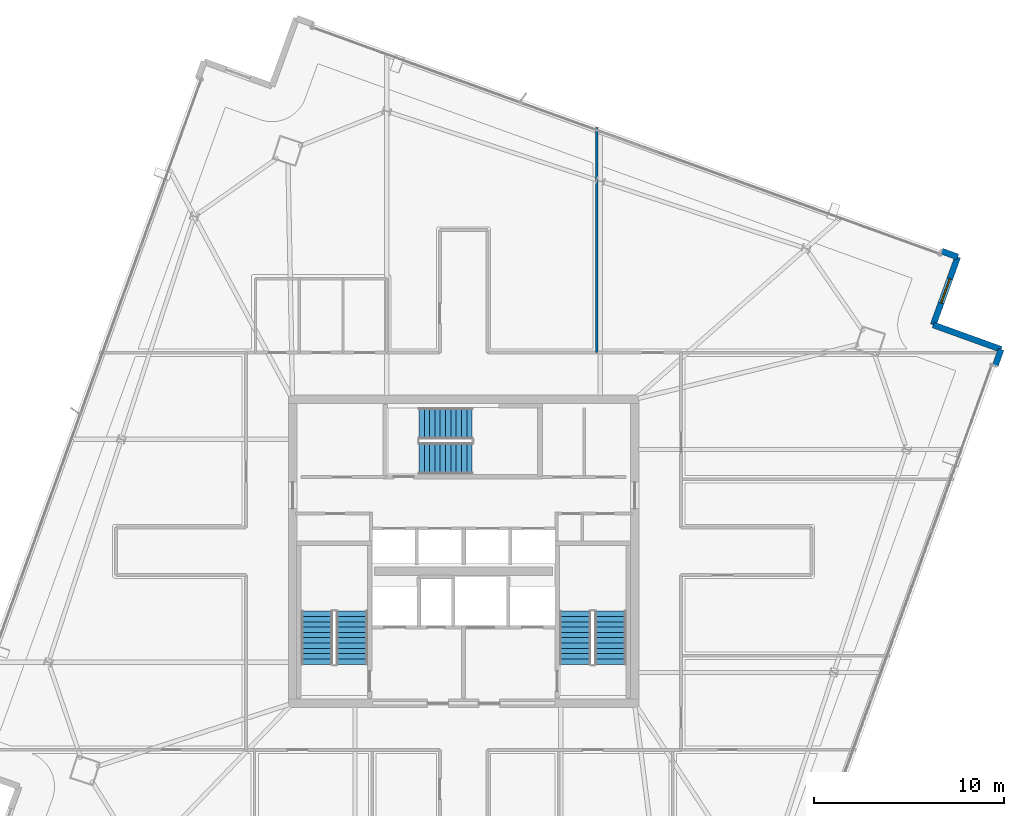
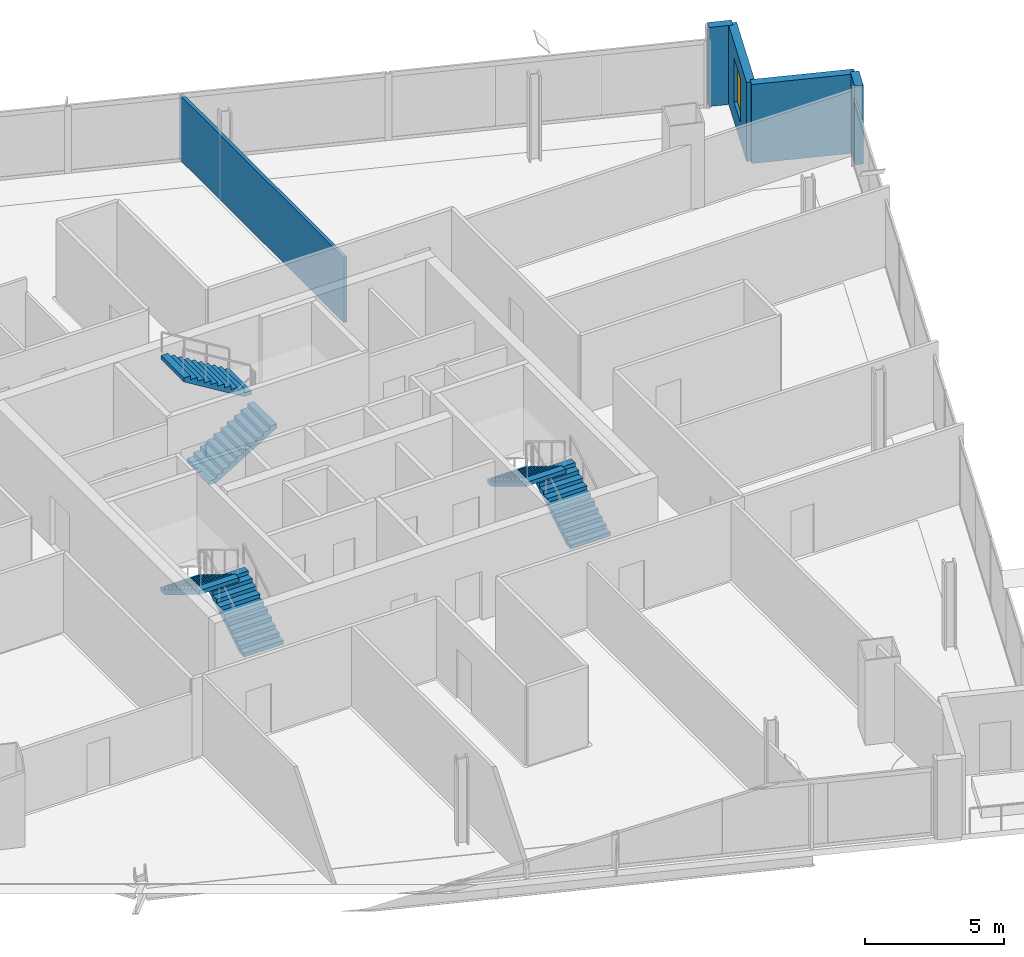
# One storey, part 22 of 27: 6 stair flights, 5 walls, 1 window, 1 opening, 3 elements without a shape of their own.
"""IFC4 building model written with IfcOpenShell, lengths in metres."""

from ifc_helpers import new_model, si_unit, direction, frame, frame_2d, origin, place, context, subcontext, project, spatial, polyline, rectangle, outline, extrude, material, layer, layer_set, type_object, element, fill, aggregate, save


model = new_model("IFC4")

# Units and contexts
model_context = context("Model", 3, precision=1e-05, world=origin(), true_north=direction((0.0, 1.0)))
body_context = subcontext(model_context, "Body", "Model", "MODEL_VIEW")
ifc_project = project(units=[si_unit("LENGTHUNIT", "METRE"), si_unit("AREAUNIT", "SQUARE_METRE"), si_unit("VOLUMEUNIT", "CUBIC_METRE"), si_unit("PLANEANGLEUNIT", "RADIAN"), si_unit("MASSUNIT", "GRAM", prefix="KILO")], contexts=[model_context])

# Site, building, storey
site_placement = place(None, origin())
site = spatial("IfcSite", under=ifc_project, at=site_placement, CompositionType="ELEMENT")
building_placement = place(site_placement, origin())
building = spatial("IfcBuilding", under=site, at=building_placement, Name="Haldenkirk Collegiate Tower", CompositionType="ELEMENT")
storey_placement = place(building_placement, frame((0.0, 0.0, 263.699951171875)))
storey = spatial("IfcBuildingStorey", under=building, at=storey_placement, Name="L66", CompositionType="ELEMENT", Elevation=263.699951171875)

# Walls
ifc_material_1 = material(Name="Precast concrete f'c 40 MPa", Category="concrete")
ifc_layer_1 = layer(ifc_material_1, 0.320068359375)
ifc_layer_set_1 = layer_set([ifc_layer_1], Name="Precast concrete f'c 40 MPa")
wall_type_1 = type_object("IfcWallType", Name="WL-EXT-TWR-320", PredefinedType="STANDARD", material=ifc_layer_set_1)
wall_1_placement = place(storey_placement, frame((64.288818359375, 36.62548828125, 0.0), z_axis=(0.0, 0.0, 1.0), x_axis=(-0.339651130203, -0.940551492345, 0.0)))
element("IfcWall", 1, at=wall_1_placement, inside=storey, type_object=wall_type_1, Name="L66 precast corner pier SL", PredefinedType="STANDARD", context=body_context, shape_type="SweptSolid", body=[
    extrude(rectangle(XDim=0.89990234375, YDim=0.320068359375, at=frame_2d((0.449951171875, 0.0))), origin(), (0.0, 0.0, 1.0), 3.47998046875),
])
wall_2_placement = place(storey_placement, frame((60.714599609375, 37.916015625, 0.0), z_axis=(0.0, 0.0, 1.0), x_axis=(0.940567581442, -0.339606573463, 0.0)))
element("IfcWall", 2, at=wall_2_placement, inside=storey, type_object=wall_type_1, Name="L66 bronze precast notch wall 02", PredefinedType="STANDARD", context=body_context, shape_type="SweptSolid", body=[
    extrude(rectangle(XDim=3.800048828125, YDim=0.320068359375, at=frame_2d((1.89990234375, 0.0))), origin(), (0.0, 0.0, 1.0), 3.47998046875),
])

# Wall, opening, window
wall_3_placement = place(storey_placement, frame((62.0048828125, 41.490234375, 0.0), z_axis=(0.0, 0.0, 1.0), x_axis=(-0.339549734892, -0.940588101953, 0.0)))
wall_3 = element("IfcWall", 3, at=wall_3_placement, inside=storey, type_object=wall_type_1, Name="L66 bronze precast notch wall 03", PredefinedType="STANDARD", context=body_context, shape_type="SweptSolid", body=[
    extrude(rectangle(XDim=3.800048828125, YDim=0.320068359375, at=frame_2d((1.89990234375, 0.0))), origin(), (0.0, 0.0, 1.0), 3.47998046875),
])
opening_placement = place(wall_3_placement, frame((1.22509765625, 0.0, 0.85009765625)))
opening = element("IfcOpeningElement", 4, at=opening_placement, cuts=wall_3, Name="Opening W-07", PredefinedType="OPENING", context=body_context, shape_type="SweptSolid", body=[
    extrude(rectangle(XDim=1.35009765625, YDim=1.949951171875, at=frame_2d((0.675048828125, 0.97509765625))), frame((0.0, 0.169921875, 0.0), z_axis=(0.0, -1.0, 0.0), x_axis=(1.0, 0.0, 0.0)), (0.0, 0.0, 1.0), 0.340087890625),
])
ifc_material_2 = material(Name="Low-E argon triple insulating glass", Category="glass")
ifc_layer_2 = layer(ifc_material_2, 0.090087890625)
ifc_layer_set_2 = layer_set([ifc_layer_2], Name="Low-E argon triple insulating glass")
window_type = type_object("IfcWindowType", Name="WN-Z5-1350X1950", PartitioningType="SINGLE_PANEL", PredefinedType="WINDOW", material=ifc_layer_set_2)
window_placement = place(opening_placement, origin())
window = element("IfcWindow", 5, at=window_placement, inside=storey, type_object=window_type, Name="L66 precast-frame academic window 2", OverallHeight=1.949951171875, OverallWidth=1.35009765625, PartitioningType="SINGLE_PANEL", PredefinedType="WINDOW", context=body_context, shape_type="SweptSolid", body=[
    extrude(rectangle(XDim=1.35009765625, YDim=1.949951171875, at=frame_2d((0.675048828125, 0.97509765625))), frame((0.0, 0.030029296875, 0.0), z_axis=(0.0, -1.0, 0.0), x_axis=(1.0, 0.0, 0.0)), (0.0, 0.0, 1.0), 0.06005859375),
])
fill(opening, window)

# Walls
wall_4_placement = place(storey_placement, frame((61.158447265625, 41.7958984375, 0.0), z_axis=(0.0, 0.0, 1.0), x_axis=(0.940551492345, -0.339651130203, 0.0)))
element("IfcWall", 6, at=wall_4_placement, inside=storey, type_object=wall_type_1, Name="L66 precast corner pier ER", PredefinedType="STANDARD", context=body_context, shape_type="SweptSolid", body=[
    extrude(rectangle(XDim=0.89990234375, YDim=0.320068359375, at=frame_2d((0.449951171875, 0.0))), origin(), (0.0, 0.0, 1.0), 3.47998046875),
])
ifc_material_3 = material(Name="Acoustic fire-rated gypsum partition", Category="concrete")
ifc_layer_3 = layer(ifc_material_3, 0.139892578125)
ifc_layer_set_3 = layer_set([ifc_layer_3], Name="Acoustic fire-rated gypsum partition")
wall_type_2 = type_object("IfcWallType", Name="WL-INT-DIV-140", PredefinedType="PARTITIONING", material=ifc_layer_set_3)
wall_5_placement = place(storey_placement, frame((43.0, 36.449951171875, 0.0), z_axis=(0.0, 0.0, 1.0), x_axis=(0.0, 1.0, 0.0)))
element("IfcWall", 7, at=wall_5_placement, inside=storey, type_object=wall_type_2, Name="L66 interior partition IW-L66-RN1", PredefinedType="PARTITIONING", context=body_context, shape_type="SweptSolid", body=[
    extrude(rectangle(XDim=11.858642578125, YDim=0.139892578125, at=frame_2d((5.92919921875, 0.0))), origin(), (0.0, 0.0, 1.0), 2.858154296875),
])

# Stair, stair flights
ifc_material_4 = material(Name="Concrete f'c 40 MPa", Category="concrete")
stair_type = type_object("IfcStairType", Name="STR-DOGLEG-1650", PredefinedType="HALF_TURN_STAIR", material=ifc_material_4)
stair_1_placement = place(storey_placement, origin())
stair_1 = element("IfcStair", 8, at=stair_1_placement, inside=storey, type_object=stair_type, Name="L66 Core Exit Stair ST-1", PredefinedType="HALF_TURN_STAIR")
stair_flight_type = type_object("IfcStairFlightType", Name="STF-FLIGHT-1650", PredefinedType="STRAIGHT", material=ifc_material_4)
stair_flight_1_placement = place(storey_placement, frame((30.125, 20.050048828125, 0.0), z_axis=(0.0, 0.0, 1.0), x_axis=(0.0, 1.0, 0.0)))
stair_flight_1 = element("IfcStairFlight", 9, at=stair_flight_1_placement, type_object=stair_flight_type, Name="ST-1 flight 1", NumberOfRisers=11, NumberOfTreads=10, PredefinedType="STRAIGHT", RiserHeight=0.170454545, TreadLength=0.28, context=body_context, shape_type="SweptSolid", body=[
    extrude(outline(polyline([(0.0, 0.0), (0.0, 0.17041015625), (0.280029296875, 0.17041015625), (0.280029296875, 0.3408203125), (0.56005859375, 0.3408203125), (0.56005859375, 0.511474609375), (0.840087890625, 0.511474609375), (0.840087890625, 0.681884765625), (1.1201171875, 0.681884765625), (1.1201171875, 0.852294921875), (1.39990234375, 0.852294921875), (1.39990234375, 1.022705078125), (1.679931640625, 1.022705078125), (1.679931640625, 1.193115234375), (1.9599609375, 1.193115234375), (1.9599609375, 1.363525390625), (2.239990234375, 1.363525390625), (2.239990234375, 1.5341796875), (2.52001953125, 1.5341796875), (2.52001953125, 1.70458984375), (2.800048828125, 1.70458984375), (2.800048828125, 1.875), (2.800048828125, 1.529052734375), (0.288330078125, 0.0), (0.0, 0.0)])), frame((0.0, 0.824951171875, 0.0), z_axis=(0.0, -1.0, 0.0), x_axis=(1.0, 0.0, 0.0)), (0.0, 0.0, 1.0), 1.64990234375),
])
stair_flight_2_placement = place(storey_placement, frame((28.27490234375, 22.85009765625, 1.875), z_axis=(0.0, 0.0, 1.0), x_axis=(0.0, -1.0, 0.0)))
stair_flight_2 = element("IfcStairFlight", 10, at=stair_flight_2_placement, type_object=stair_flight_type, Name="ST-1 flight 2", NumberOfRisers=11, NumberOfTreads=10, PredefinedType="STRAIGHT", RiserHeight=0.170454545, TreadLength=0.28, context=body_context, shape_type="SweptSolid", body=[
    extrude(outline(polyline([(0.0, 0.0), (0.0, 0.17041015625), (0.280029296875, 0.17041015625), (0.280029296875, 0.3408203125), (0.56005859375, 0.3408203125), (0.56005859375, 0.511474609375), (0.840087890625, 0.511474609375), (0.840087890625, 0.681884765625), (1.1201171875, 0.681884765625), (1.1201171875, 0.852294921875), (1.39990234375, 0.852294921875), (1.39990234375, 1.022705078125), (1.679931640625, 1.022705078125), (1.679931640625, 1.193115234375), (1.9599609375, 1.193115234375), (1.9599609375, 1.363525390625), (2.239990234375, 1.363525390625), (2.239990234375, 1.5341796875), (2.52001953125, 1.5341796875), (2.52001953125, 1.70458984375), (2.800048828125, 1.70458984375), (2.800048828125, 1.875), (2.800048828125, 1.529052734375), (0.288330078125, 0.0), (0.0, 0.0)])), frame((0.0, 0.824951171875, 0.0), z_axis=(0.0, -1.0, 0.0), x_axis=(1.0, 0.0, 0.0)), (0.0, 0.0, 1.0), 1.64990234375),
])
aggregate(stair_1, [stair_flight_1, stair_flight_2])

stair_2_placement = place(storey_placement, origin())
stair_2 = element("IfcStair", 11, at=stair_2_placement, inside=storey, type_object=stair_type, Name="L66 Core Exit Stair ST-2", PredefinedType="HALF_TURN_STAIR")
stair_flight_3_placement = place(storey_placement, frame((43.72509765625, 20.050048828125, 0.0), z_axis=(0.0, 0.0, 1.0), x_axis=(0.0, 1.0, 0.0)))
stair_flight_3 = element("IfcStairFlight", 12, at=stair_flight_3_placement, type_object=stair_flight_type, Name="ST-2 flight 1", NumberOfRisers=11, NumberOfTreads=10, PredefinedType="STRAIGHT", RiserHeight=0.170454545, TreadLength=0.28, context=body_context, shape_type="SweptSolid", body=[
    extrude(outline(polyline([(0.0, 0.0), (0.0, 0.17041015625), (0.280029296875, 0.17041015625), (0.280029296875, 0.3408203125), (0.56005859375, 0.3408203125), (0.56005859375, 0.511474609375), (0.840087890625, 0.511474609375), (0.840087890625, 0.681884765625), (1.1201171875, 0.681884765625), (1.1201171875, 0.852294921875), (1.39990234375, 0.852294921875), (1.39990234375, 1.022705078125), (1.679931640625, 1.022705078125), (1.679931640625, 1.193115234375), (1.9599609375, 1.193115234375), (1.9599609375, 1.363525390625), (2.239990234375, 1.363525390625), (2.239990234375, 1.5341796875), (2.52001953125, 1.5341796875), (2.52001953125, 1.70458984375), (2.800048828125, 1.70458984375), (2.800048828125, 1.875), (2.800048828125, 1.529052734375), (0.288330078125, 0.0), (0.0, 0.0)])), frame((0.0, 0.824951171875, 0.0), z_axis=(0.0, -1.0, 0.0), x_axis=(1.0, 0.0, 0.0)), (0.0, 0.0, 1.0), 1.64990234375),
])
stair_flight_4_placement = place(storey_placement, frame((41.875, 22.85009765625, 1.875), z_axis=(0.0, 0.0, 1.0), x_axis=(0.0, -1.0, 0.0)))
stair_flight_4 = element("IfcStairFlight", 13, at=stair_flight_4_placement, type_object=stair_flight_type, Name="ST-2 flight 2", NumberOfRisers=11, NumberOfTreads=10, PredefinedType="STRAIGHT", RiserHeight=0.170454545, TreadLength=0.28, context=body_context, shape_type="SweptSolid", body=[
    extrude(outline(polyline([(0.0, 0.0), (0.0, 0.17041015625), (0.280029296875, 0.17041015625), (0.280029296875, 0.3408203125), (0.56005859375, 0.3408203125), (0.56005859375, 0.511474609375), (0.840087890625, 0.511474609375), (0.840087890625, 0.681884765625), (1.1201171875, 0.681884765625), (1.1201171875, 0.852294921875), (1.39990234375, 0.852294921875), (1.39990234375, 1.022705078125), (1.679931640625, 1.022705078125), (1.679931640625, 1.193115234375), (1.9599609375, 1.193115234375), (1.9599609375, 1.363525390625), (2.239990234375, 1.363525390625), (2.239990234375, 1.5341796875), (2.52001953125, 1.5341796875), (2.52001953125, 1.70458984375), (2.800048828125, 1.70458984375), (2.800048828125, 1.875), (2.800048828125, 1.529052734375), (0.288330078125, 0.0), (0.0, 0.0)])), frame((0.0, 0.824951171875, 0.0), z_axis=(0.0, -1.0, 0.0), x_axis=(1.0, 0.0, 0.0)), (0.0, 0.0, 1.0), 1.64990234375),
])
aggregate(stair_2, [stair_flight_3, stair_flight_4])

stair_3_placement = place(storey_placement, origin())
stair_3 = element("IfcStair", 14, at=stair_3_placement, inside=storey, type_object=stair_type, Name="L66 Core Exit Stair ST-3", PredefinedType="HALF_TURN_STAIR")
stair_flight_5_placement = place(storey_placement, frame((33.64990234375, 30.875, 0.0), z_axis=(0.0, 0.0, 1.0), x_axis=(1.0, 0.0, 0.0)))
stair_flight_5 = element("IfcStairFlight", 15, at=stair_flight_5_placement, type_object=stair_flight_type, Name="ST-3 flight 1", NumberOfRisers=11, NumberOfTreads=10, PredefinedType="STRAIGHT", RiserHeight=0.170454545, TreadLength=0.28, context=body_context, shape_type="SweptSolid", body=[
    extrude(outline(polyline([(0.0, 0.0), (0.0, 0.17041015625), (0.280029296875, 0.17041015625), (0.280029296875, 0.3408203125), (0.56005859375, 0.3408203125), (0.56005859375, 0.511474609375), (0.840087890625, 0.511474609375), (0.840087890625, 0.681884765625), (1.1201171875, 0.681884765625), (1.1201171875, 0.852294921875), (1.39990234375, 0.852294921875), (1.39990234375, 1.022705078125), (1.679931640625, 1.022705078125), (1.679931640625, 1.193115234375), (1.9599609375, 1.193115234375), (1.9599609375, 1.363525390625), (2.239990234375, 1.363525390625), (2.239990234375, 1.5341796875), (2.52001953125, 1.5341796875), (2.52001953125, 1.70458984375), (2.800048828125, 1.70458984375), (2.800048828125, 1.875), (2.800048828125, 1.529052734375), (0.288330078125, 0.0), (0.0, 0.0)])), frame((0.0, 0.824951171875, 0.0), z_axis=(0.0, -1.0, 0.0), x_axis=(1.0, 0.0, 0.0)), (0.0, 0.0, 1.0), 1.64990234375),
])
stair_flight_6_placement = place(storey_placement, frame((36.449951171875, 32.72509765625, 1.875), z_axis=(0.0, 0.0, 1.0), x_axis=(-1.0, 0.0, 0.0)))
stair_flight_6 = element("IfcStairFlight", 16, at=stair_flight_6_placement, type_object=stair_flight_type, Name="ST-3 flight 2", NumberOfRisers=11, NumberOfTreads=10, PredefinedType="STRAIGHT", RiserHeight=0.170454545, TreadLength=0.28, context=body_context, shape_type="SweptSolid", body=[
    extrude(outline(polyline([(0.0, 0.0), (0.0, 0.17041015625), (0.280029296875, 0.17041015625), (0.280029296875, 0.3408203125), (0.56005859375, 0.3408203125), (0.56005859375, 0.511474609375), (0.840087890625, 0.511474609375), (0.840087890625, 0.681884765625), (1.1201171875, 0.681884765625), (1.1201171875, 0.852294921875), (1.39990234375, 0.852294921875), (1.39990234375, 1.022705078125), (1.679931640625, 1.022705078125), (1.679931640625, 1.193115234375), (1.9599609375, 1.193115234375), (1.9599609375, 1.363525390625), (2.239990234375, 1.363525390625), (2.239990234375, 1.5341796875), (2.52001953125, 1.5341796875), (2.52001953125, 1.70458984375), (2.800048828125, 1.70458984375), (2.800048828125, 1.875), (2.800048828125, 1.529052734375), (0.288330078125, 0.0), (0.0, 0.0)])), frame((0.0, 0.824951171875, 0.0), z_axis=(0.0, -1.0, 0.0), x_axis=(1.0, 0.0, 0.0)), (0.0, 0.0, 1.0), 1.64990234375),
])
aggregate(stair_3, [stair_flight_5, stair_flight_6])

save(model, "model.ifc")
